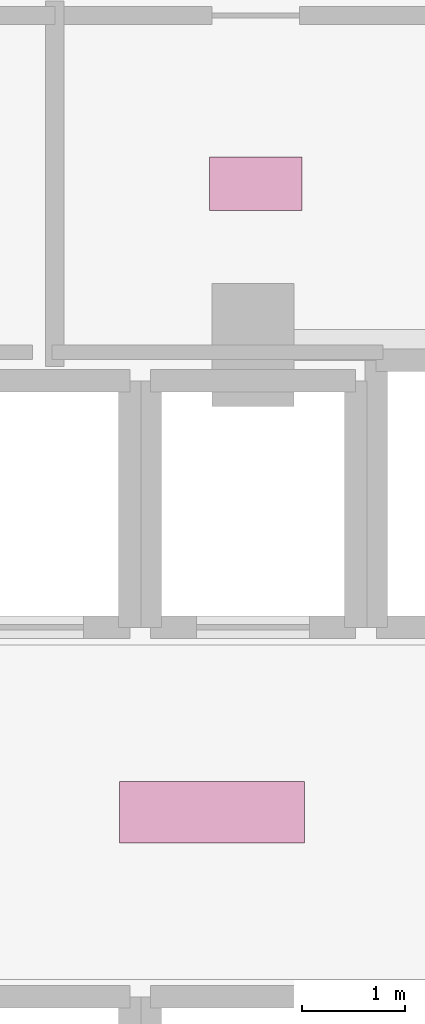
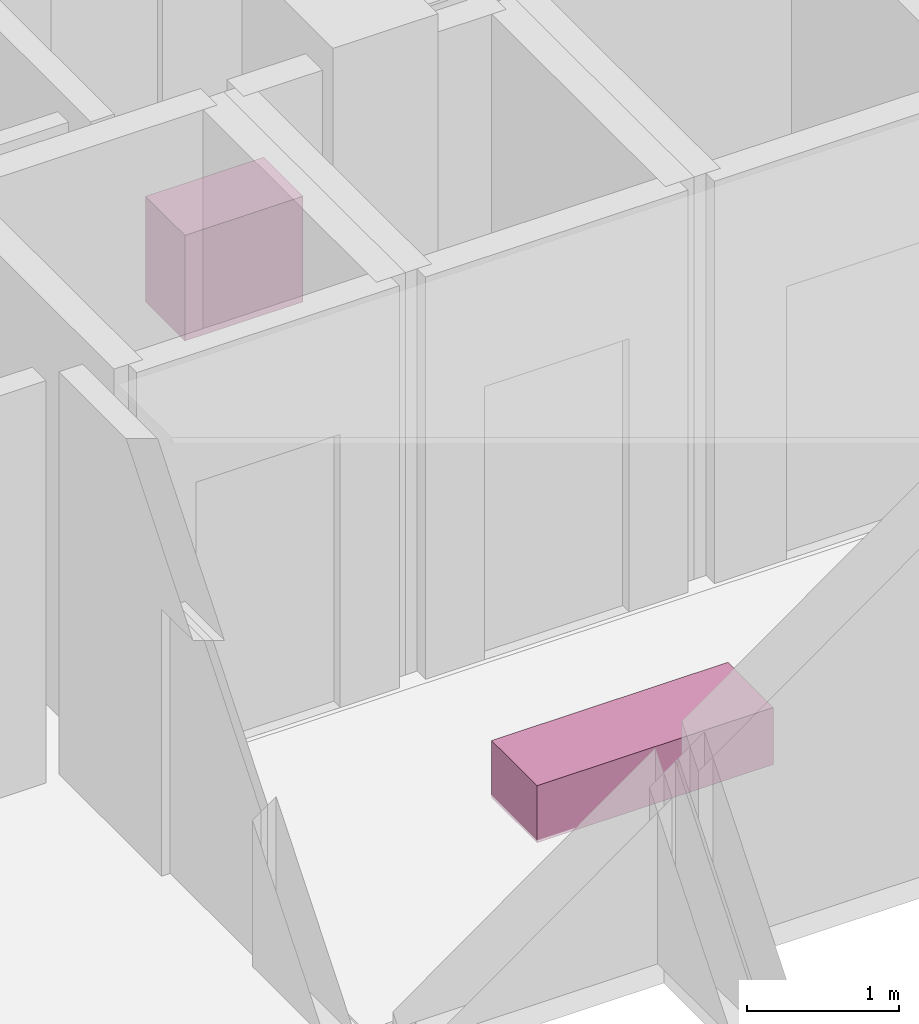
# One storey, part 34 of 34: 2 furnishings.
"""IFC4 building model written with IfcOpenShell, lengths in metres."""

from ifc_helpers import new_model, si_unit, direction, frame, origin, origin_2d, place, context, subcontext, project, spatial, rectangle, extrude, material, type_object, element, save


model = new_model("IFC4")

# Units and contexts
model_context = context("Model", 3, precision=1e-05, world=origin(), true_north=direction((0.0, 1.0)))
body_context = subcontext(model_context, "Body", "Model", "MODEL_VIEW")
ifc_project = project(units=[si_unit("LENGTHUNIT", "METRE"), si_unit("AREAUNIT", "SQUARE_METRE"), si_unit("VOLUMEUNIT", "CUBIC_METRE"), si_unit("PLANEANGLEUNIT", "RADIAN"), si_unit("MASSUNIT", "GRAM", prefix="KILO")], contexts=[model_context])

# Site, building, storey
site_placement = place(None, origin())
site = spatial("IfcSite", under=ifc_project, at=site_placement, CompositionType="ELEMENT")
building_placement = place(site_placement, origin())
building = spatial("IfcBuilding", under=site, at=building_placement, Name="Vorneva Point Tower", CompositionType="ELEMENT")
storey_placement = place(building_placement, frame((0.0, 0.0, 62.5)))
storey = spatial("IfcBuildingStorey", under=building, at=storey_placement, Name="L16", CompositionType="ELEMENT", Elevation=62.5)

# Furnishings
ifc_material_1 = material(Name="Engineered oak fire-rated door leaf", Category="wood")
furniture_type_1 = type_object("IfcFurnitureType", Name="FUR-BNC-1800", AssemblyPlace="NOTDEFINED", PredefinedType="NOTDEFINED", material=ifc_material_1)
furnishing_1_placement = place(storey_placement, frame((35.0, 26.0, -0.0048828125), z_axis=(0.0, 0.0, 1.0), x_axis=(1.0, 0.0, 0.0)))
element("IfcFurnishingElement", 1, at=furnishing_1_placement, inside=storey, type_object=furniture_type_1, Name="L16 Lift Lobby Seating Bench", ObjectType="L16 Lift Lobby Seating Bench", context=body_context, shape_type="SweptSolid", body=[
    extrude(rectangle(XDim=1.800048828125, YDim=0.60009765625, at=origin_2d()), origin(), (0.0, 0.0, 1.0), 0.4599609375),
])
ifc_material_2 = material(Name="Vitreous china and granite top", Category="masonry")
furniture_type_2 = type_object("IfcFurnitureType", Name="FUR-VAN-900", AssemblyPlace="NOTDEFINED", PredefinedType="NOTDEFINED", material=ifc_material_2)
furnishing_2_placement = place(storey_placement, frame((35.425048828125, 32.1201171875, -0.005126953125), z_axis=(0.0, 0.0, 1.0), x_axis=(1.0, 0.0, 0.0)))
element("IfcFurnishingElement", 2, at=furnishing_2_placement, inside=storey, type_object=furniture_type_2, Name="L16 Accessible WC Vanity Unit", ObjectType="L16 Accessible WC Vanity Unit", context=body_context, shape_type="SweptSolid", body=[
    extrude(rectangle(XDim=0.89990234375, YDim=0.52001953125, at=origin_2d()), origin(), (0.0, 0.0, 1.0), 0.85009765625),
])

save(model, "model.ifc")
